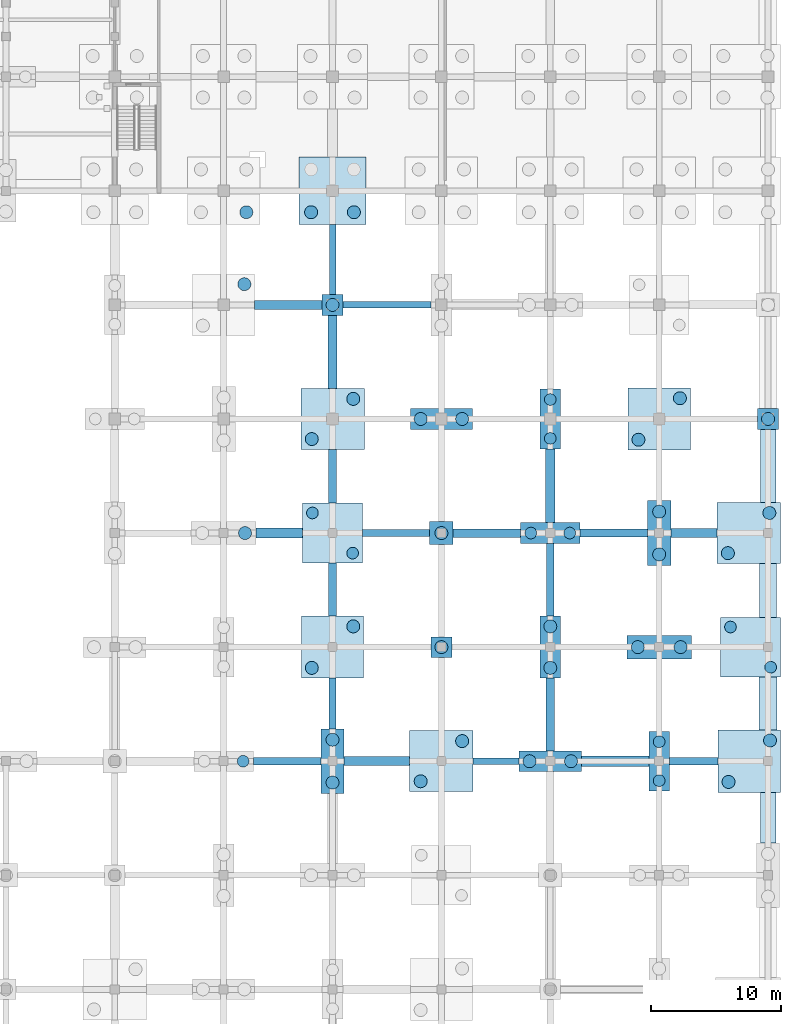
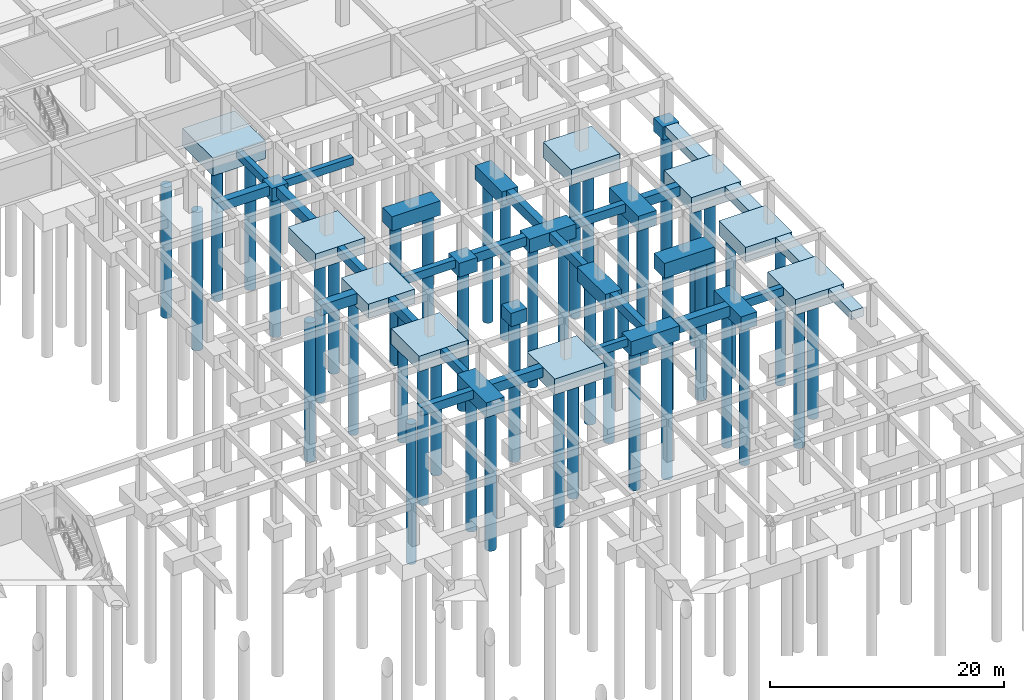
# One storey, part 10 of 41: 46 footings, 44 piles.
"""IFC4 building model written with IfcOpenShell, lengths in metres."""

from ifc_helpers import new_model, si_unit, direction, frame, origin, origin_2d, place, context, subcontext, project, spatial, rectangle, circle, extrude, material, material_profile, profile_set, type_object, element, save


model = new_model("IFC4")

# Units and contexts
model_context = context("Model", 3, precision=1e-05, world=origin(), true_north=direction((0.0, 1.0)))
body_context = subcontext(model_context, "Body", "Model", "MODEL_VIEW")
ifc_project = project(units=[si_unit("LENGTHUNIT", "METRE"), si_unit("AREAUNIT", "SQUARE_METRE"), si_unit("VOLUMEUNIT", "CUBIC_METRE"), si_unit("PLANEANGLEUNIT", "RADIAN"), si_unit("MASSUNIT", "GRAM", prefix="KILO")], contexts=[model_context])

# Site, building, storey
site_placement = place(None, origin())
site = spatial("IfcSite", under=ifc_project, at=site_placement, CompositionType="ELEMENT")
building_placement = place(site_placement, origin())
building = spatial("IfcBuilding", under=site, at=building_placement, Name="Kemercrest Conservatory and Botanical Centre", CompositionType="ELEMENT")
storey_placement = place(building_placement, frame((0.0, 0.0, -4.5)))
storey = spatial("IfcBuildingStorey", under=building, at=storey_placement, Name="B1", CompositionType="ELEMENT", Elevation=-4.5)

# Piles
ifc_material = material(Name="Concrete C40/50", Category="concrete")
ifc_material_profile_1 = material_profile(ifc_material, circle(Radius=0.5, at=origin_2d()), Name="BORED PILE 1000")
ifc_profile_set_1 = profile_set([ifc_material_profile_1], Name="Concrete C40/50")
pile_type_1 = type_object("IfcPileType", Name="BP-01", PredefinedType="BORED", material=ifc_profile_set_1)
pile_1_placement = place(storey_placement, frame((135.64990234375, 60.800048828125, -1.449951171875), z_axis=(0.0, 0.0, -1.0), x_axis=(1.0, 0.0, 0.0)))
element("IfcPile", 1, at=pile_1_placement, inside=storey, type_object=pile_type_1, Name="Bored pile BP-01 #355", PredefinedType="BORED", context=body_context, shape_type="SweptSolid", body=[
    extrude(circle(Radius=0.5, at=origin_2d()), origin(), (0.0, 0.0, 1.0), 14.550048828125),
])
pile_2_placement = place(storey_placement, frame((135.60009765625, 80.0, -1.5), z_axis=(0.0, 0.0, -1.0), x_axis=(1.0, 0.0, 0.0)))
element("IfcPile", 2, at=pile_2_placement, inside=storey, type_object=pile_type_1, Name="Bored pile BP-01 #359", PredefinedType="BORED", context=body_context, shape_type="SweptSolid", body=[
    extrude(circle(Radius=0.5, at=origin_2d()), origin(), (0.0, 0.0, 1.0), 14.5),
])
pile_3_placement = place(storey_placement, frame((135.75, 85.550048828125, -2.300048828125), z_axis=(0.0, 0.0, -1.0), x_axis=(1.0, 0.0, 0.0)))
element("IfcPile", 3, at=pile_3_placement, inside=storey, type_object=pile_type_1, Name="Bored pile BP-01 #362", PredefinedType="BORED", context=body_context, shape_type="SweptSolid", body=[
    extrude(circle(Radius=0.5, at=origin_2d()), origin(), (0.0, 0.0, 1.0), 13.699951171875),
])
for number, where, z_axis, x_axis, name in (
    (4, (142.39990234375, 41.550048828125, -1.449951171875), (0.0, 0.0, -1.0), (1.0, 0.0, 0.0), "Bored pile BP-01 #388"),
    (5, (142.39990234375, 44.85009765625, -1.449951171875), (0.0, 0.0, -1.0), (1.0, 0.0, 0.0), "Bored pile BP-01 #389"),
):
    element("IfcPile", number, at=place(storey_placement, frame(where, z_axis=z_axis, x_axis=x_axis)), inside=storey, type_object=pile_type_1, Name=name, PredefinedType="BORED", context=body_context, shape_type="SweptSolid", body=[
        extrude(circle(Radius=0.5, at=origin_2d()), origin(), (0.0, 0.0, 1.0), 14.550048828125),
    ])
for number, where, z_axis, x_axis, name in (
    (6, (140.800048828125, 50.39990234375, -1.5), (0.0, 0.0, -1.0), (1.0, 0.0, 0.0), "Bored pile BP-01 #390"),
    (7, (144.0, 53.60009765625, -1.5), (0.0, 0.0, -1.0), (1.0, 0.0, 0.0), "Bored pile BP-01 #391"),
):
    element("IfcPile", number, at=place(storey_placement, frame(where, z_axis=z_axis, x_axis=x_axis)), inside=storey, type_object=pile_type_1, Name=name, PredefinedType="BORED", context=body_context, shape_type="SweptSolid", body=[
        extrude(circle(Radius=0.5, at=origin_2d()), origin(), (0.0, 0.0, 1.0), 14.5),
    ])
for number, where, z_axis, x_axis, name in (
    (8, (140.800048828125, 68.050048828125, -1.550048828125), (0.0, 0.0, -1.0), (1.0, 0.0, 0.0), "Bored pile BP-01 #394"),
    (9, (144.0, 71.14990234375, -1.550048828125), (0.0, 0.0, -1.0), (1.0, 0.0, 0.0), "Bored pile BP-01 #395"),
):
    element("IfcPile", number, at=place(storey_placement, frame(where, z_axis=z_axis, x_axis=x_axis)), inside=storey, type_object=pile_type_1, Name=name, PredefinedType="BORED", context=body_context, shape_type="SweptSolid", body=[
        extrude(circle(Radius=0.5, at=origin_2d()), origin(), (0.0, 0.0, 1.0), 14.449951171875),
    ])
pile_4_placement = place(storey_placement, frame((142.39990234375, 78.39990234375, -1.300048828125), z_axis=(0.0, 0.0, -1.0), x_axis=(1.0, 0.0, 0.0)))
element("IfcPile", 10, at=pile_4_placement, inside=storey, type_object=pile_type_1, Name="Bored pile BP-01 #396", PredefinedType="BORED", context=body_context, shape_type="SweptSolid", body=[
    extrude(circle(Radius=0.5, at=origin_2d()), origin(), (0.0, 0.0, 1.0), 14.699951171875),
])
for number, where, z_axis, x_axis, name in (
    (11, (140.75, 85.550048828125, -2.199951171875), (0.0, 0.0, -1.0), (1.0, 0.0, 0.0), "Bored pile BP-01 #397"),
    (12, (144.050048828125, 85.550048828125, -2.199951171875), (0.0, 0.0, -1.0), (1.0, 0.0, 0.0), "Bored pile BP-01 #399"),
):
    element("IfcPile", number, at=place(storey_placement, frame(where, z_axis=z_axis, x_axis=x_axis)), inside=storey, type_object=pile_type_1, Name=name, PredefinedType="BORED", context=body_context, shape_type="SweptSolid", body=[
        extrude(circle(Radius=0.5, at=origin_2d()), origin(), (0.0, 0.0, 1.0), 13.800048828125),
    ])
for number, where, z_axis, x_axis, name in (
    (13, (149.199951171875, 41.64990234375, -1.550048828125), (0.0, 0.0, -1.0), (1.0, 0.0, 0.0), "Bored pile BP-01 #425"),
    (14, (152.39990234375, 44.75, -1.550048828125), (0.0, 0.0, -1.0), (1.0, 0.0, 0.0), "Bored pile BP-01 #426"),
):
    element("IfcPile", number, at=place(storey_placement, frame(where, z_axis=z_axis, x_axis=x_axis)), inside=storey, type_object=pile_type_1, Name=name, PredefinedType="BORED", context=body_context, shape_type="SweptSolid", body=[
        extrude(circle(Radius=0.5, at=origin_2d()), origin(), (0.0, 0.0, 1.0), 14.449951171875),
    ])
pile_5_placement = place(storey_placement, frame((150.800048828125, 52.0, -1.300048828125), z_axis=(0.0, 0.0, -1.0), x_axis=(1.0, 0.0, 0.0)))
element("IfcPile", 15, at=pile_5_placement, inside=storey, type_object=pile_type_1, Name="Bored pile BP-01 #427", PredefinedType="BORED", context=body_context, shape_type="SweptSolid", body=[
    extrude(circle(Radius=0.5, at=origin_2d()), origin(), (0.0, 0.0, 1.0), 14.699951171875),
])
pile_6_placement = place(storey_placement, frame((150.800048828125, 60.800048828125, -1.35009765625), z_axis=(0.0, 0.0, -1.0), x_axis=(1.0, 0.0, 0.0)))
element("IfcPile", 16, at=pile_6_placement, inside=storey, type_object=pile_type_1, Name="Bored pile BP-01 #428", PredefinedType="BORED", context=body_context, shape_type="SweptSolid", body=[
    extrude(circle(Radius=0.5, at=origin_2d()), origin(), (0.0, 0.0, 1.0), 14.64990234375),
])
for number, where, z_axis, x_axis, name in (
    (17, (149.199951171875, 69.60009765625, -1.39990234375), (0.0, 0.0, -1.0), (1.0, 0.0, 0.0), "Bored pile BP-01 #429"),
    (18, (152.39990234375, 69.60009765625, -1.39990234375), (0.0, 0.0, -1.0), (1.0, 0.0, 0.0), "Bored pile BP-01 #430"),
    (19, (157.60009765625, 43.199951171875, -1.39990234375), (0.0, 0.0, -1.0), (1.0, 0.0, 0.0), "Bored pile BP-01 #451"),
    (20, (160.800048828125, 43.199951171875, -1.39990234375), (0.0, 0.0, -1.0), (1.0, 0.0, 0.0), "Bored pile BP-01 #452"),
    (21, (159.199951171875, 50.39990234375, -1.39990234375), (0.0, 0.0, -1.0), (1.0, 0.0, 0.0), "Bored pile BP-01 #453"),
    (22, (159.199951171875, 53.60009765625, -1.39990234375), (0.0, 0.0, -1.0), (1.0, 0.0, 0.0), "Bored pile BP-01 #454"),
):
    element("IfcPile", number, at=place(storey_placement, frame(where, z_axis=z_axis, x_axis=x_axis)), inside=storey, type_object=pile_type_1, Name=name, PredefinedType="BORED", context=body_context, shape_type="SweptSolid", body=[
        extrude(circle(Radius=0.5, at=origin_2d()), origin(), (0.0, 0.0, 1.0), 14.60009765625),
    ])
for number, where, z_axis, x_axis, name in (
    (23, (165.949951171875, 52.0, -1.449951171875), (0.0, 0.0, -1.0), (1.0, 0.0, 0.0), "Bored pile BP-01 #482"),
    (24, (169.25, 52.0, -1.449951171875), (0.0, 0.0, -1.0), (1.0, 0.0, 0.0), "Bored pile BP-01 #483"),
    (25, (167.60009765625, 59.14990234375, -1.449951171875), (0.0, 0.0, -1.0), (1.0, 0.0, 0.0), "Bored pile BP-01 #484"),
    (26, (167.60009765625, 62.449951171875, -1.449951171875), (0.0, 0.0, -1.0), (1.0, 0.0, 0.0), "Bored pile BP-01 #485"),
):
    element("IfcPile", number, at=place(storey_placement, frame(where, z_axis=z_axis, x_axis=x_axis)), inside=storey, type_object=pile_type_1, Name=name, PredefinedType="BORED", context=body_context, shape_type="SweptSolid", body=[
        extrude(circle(Radius=0.5, at=origin_2d()), origin(), (0.0, 0.0, 1.0), 14.550048828125),
    ])
for number, where, z_axis, x_axis, name in (
    (27, (166.0, 68.0, -1.5), (0.0, 0.0, -1.0), (1.0, 0.0, 0.0), "Bored pile BP-01 #486"),
    (28, (169.199951171875, 71.199951171875, -1.5), (0.0, 0.0, -1.0), (1.0, 0.0, 0.0), "Bored pile BP-01 #487"),
    (29, (172.949951171875, 41.60009765625, -1.5), (0.0, 0.0, -1.0), (1.0, 0.0, 0.0), "Bored pile BP-01 #510"),
    (30, (176.14990234375, 44.800048828125, -1.5), (0.0, 0.0, -1.0), (1.0, 0.0, 0.0), "Bored pile BP-01 #511"),
):
    element("IfcPile", number, at=place(storey_placement, frame(where, z_axis=z_axis, x_axis=x_axis)), inside=storey, type_object=pile_type_1, Name=name, PredefinedType="BORED", context=body_context, shape_type="SweptSolid", body=[
        extrude(circle(Radius=0.5, at=origin_2d()), origin(), (0.0, 0.0, 1.0), 14.5),
    ])
for number, where, z_axis, x_axis, name in (
    (31, (172.89990234375, 59.25, -1.550048828125), (0.0, 0.0, -1.0), (1.0, 0.0, 0.0), "Bored pile BP-01 #514"),
    (32, (176.10009765625, 62.35009765625, -1.550048828125), (0.0, 0.0, -1.0), (1.0, 0.0, 0.0), "Bored pile BP-01 #515"),
):
    element("IfcPile", number, at=place(storey_placement, frame(where, z_axis=z_axis, x_axis=x_axis)), inside=storey, type_object=pile_type_1, Name=name, PredefinedType="BORED", context=body_context, shape_type="SweptSolid", body=[
        extrude(circle(Radius=0.5, at=origin_2d()), origin(), (0.0, 0.0, 1.0), 14.449951171875),
    ])
pile_7_placement = place(storey_placement, frame((176.0, 69.60009765625, -1.300048828125), z_axis=(0.0, 0.0, -1.0), x_axis=(1.0, 0.0, 0.0)))
element("IfcPile", 33, at=pile_7_placement, inside=storey, type_object=pile_type_1, Name="Bored pile BP-01 #516", PredefinedType="BORED", context=body_context, shape_type="SweptSolid", body=[
    extrude(circle(Radius=0.5, at=origin_2d()), origin(), (0.0, 0.0, 1.0), 14.699951171875),
])
ifc_material_profile_2 = material_profile(ifc_material, circle(Radius=0.449951171875, at=origin_2d()), Name="BORED PILE 900")
ifc_profile_set_2 = profile_set([ifc_material_profile_2], Name="Concrete C40/50")
pile_type_2 = type_object("IfcPileType", Name="BP-02", PredefinedType="BORED", material=ifc_profile_set_2)
pile_8_placement = place(storey_placement, frame((135.5, 43.199951171875, -1.35009765625), z_axis=(0.0, 0.0, -1.0), x_axis=(1.0, 0.0, 0.0)))
element("IfcPile", 34, at=pile_8_placement, inside=storey, type_object=pile_type_2, Name="Bored pile BP-02 #351", PredefinedType="BORED", context=body_context, shape_type="SweptSolid", body=[
    extrude(circle(Radius=0.449951171875, at=origin_2d()), origin(), (0.0, 0.0, 1.0), 14.64990234375),
])
for number, where, z_axis, x_axis, name in (
    (35, (140.85009765625, 62.35009765625, -1.39990234375), (0.0, 0.0, -1.0), (1.0, 0.0, 0.0), "Bored pile BP-02 #392"),
    (36, (143.949951171875, 59.25, -1.39990234375), (0.0, 0.0, -1.0), (1.0, 0.0, 0.0), "Bored pile BP-02 #393"),
):
    element("IfcPile", number, at=place(storey_placement, frame(where, z_axis=z_axis, x_axis=x_axis)), inside=storey, type_object=pile_type_2, Name=name, PredefinedType="BORED", context=body_context, shape_type="SweptSolid", body=[
        extrude(circle(Radius=0.449951171875, at=origin_2d()), origin(), (0.0, 0.0, 1.0), 14.60009765625),
    ])
for number, where, z_axis, x_axis, name in (
    (37, (157.699951171875, 60.800048828125, -1.35009765625), (0.0, 0.0, -1.0), (1.0, 0.0, 0.0), "Bored pile BP-02 #455"),
    (38, (160.699951171875, 60.800048828125, -1.35009765625), (0.0, 0.0, -1.0), (1.0, 0.0, 0.0), "Bored pile BP-02 #456"),
    (39, (159.199951171875, 68.10009765625, -1.35009765625), (0.0, 0.0, -1.0), (1.0, 0.0, 0.0), "Bored pile BP-02 #457"),
    (40, (159.199951171875, 71.10009765625, -1.35009765625), (0.0, 0.0, -1.0), (1.0, 0.0, 0.0), "Bored pile BP-02 #458"),
    (41, (167.60009765625, 41.699951171875, -1.35009765625), (0.0, 0.0, -1.0), (1.0, 0.0, 0.0), "Bored pile BP-02 #480"),
    (42, (167.60009765625, 44.699951171875, -1.35009765625), (0.0, 0.0, -1.0), (1.0, 0.0, 0.0), "Bored pile BP-02 #481"),
):
    element("IfcPile", number, at=place(storey_placement, frame(where, z_axis=z_axis, x_axis=x_axis)), inside=storey, type_object=pile_type_2, Name=name, PredefinedType="BORED", context=body_context, shape_type="SweptSolid", body=[
        extrude(circle(Radius=0.449951171875, at=origin_2d()), origin(), (0.0, 0.0, 1.0), 14.64990234375),
    ])
for number, where, z_axis, x_axis, name in (
    (43, (173.10009765625, 53.550048828125, -1.39990234375), (0.0, 0.0, -1.0), (1.0, 0.0, 0.0), "Bored pile BP-02 #512"),
    (44, (176.199951171875, 50.449951171875, -1.39990234375), (0.0, 0.0, -1.0), (1.0, 0.0, 0.0), "Bored pile BP-02 #513"),
):
    element("IfcPile", number, at=place(storey_placement, frame(where, z_axis=z_axis, x_axis=x_axis)), inside=storey, type_object=pile_type_2, Name=name, PredefinedType="BORED", context=body_context, shape_type="SweptSolid", body=[
        extrude(circle(Radius=0.449951171875, at=origin_2d()), origin(), (0.0, 0.0, 1.0), 14.60009765625),
    ])

# Footings
footing_type_1 = type_object("IfcFootingType", Name="FB-01", PredefinedType="FOOTING_BEAM", material=ifc_material)
for number, where, z_axis, x_axis, name in (
    (45, (138.89990234375, 43.199951171875, -0.89990234375), (0.0, 0.0, 1.0), (1.0, 0.0, 0.0), "Seismic tie footing beam FB-01"),
    (46, (164.10009765625, 60.800048828125, -0.89990234375), (0.0, 0.0, 1.0), (1.0, 0.0, 0.0), "Seismic tie footing beam FB-01"),
):
    element("IfcFooting", number, at=place(storey_placement, frame(where, z_axis=z_axis, x_axis=x_axis)), inside=storey, type_object=footing_type_1, Name=name, PredefinedType="FOOTING_BEAM", context=body_context, shape_type="SweptSolid", body=[
        extrude(rectangle(XDim=5.199951171875, YDim=0.60009765625, at=origin_2d()), origin(), (0.0, 0.0, 1.0), 0.89990234375),
    ])
footing_1_placement = place(storey_placement, frame((142.39990234375, 65.175048828125, -0.89990234375), z_axis=(0.0, 0.0, 1.0), x_axis=(1.0, 0.0, 0.0)))
element("IfcFooting", 47, at=footing_1_placement, inside=storey, type_object=footing_type_1, Name="Seismic tie footing beam FB-01", PredefinedType="FOOTING_BEAM", context=body_context, shape_type="SweptSolid", body=[
    extrude(rectangle(XDim=0.60009765625, YDim=4.14990234375, at=origin_2d()), origin(), (0.0, 0.0, 1.0), 0.89990234375),
])
footing_2_placement = place(storey_placement, frame((159.199951171875, 57.199951171875, -0.89990234375), z_axis=(0.0, 0.0, 1.0), x_axis=(1.0, 0.0, 0.0)))
element("IfcFooting", 48, at=footing_2_placement, inside=storey, type_object=footing_type_1, Name="Seismic tie footing beam FB-01", PredefinedType="FOOTING_BEAM", context=body_context, shape_type="SweptSolid", body=[
    extrude(rectangle(XDim=0.60009765625, YDim=5.60009765625, at=origin_2d()), origin(), (0.0, 0.0, 1.0), 0.89990234375),
])
footing_type_2 = type_object("IfcFootingType", Name="FB-02", PredefinedType="FOOTING_BEAM", material=ifc_material)
footing_3_placement = place(storey_placement, frame((145.824951171875, 43.199951171875, -1.0), z_axis=(0.0, 0.0, 1.0), x_axis=(1.0, 0.0, 0.0)))
element("IfcFooting", 49, at=footing_3_placement, inside=storey, type_object=footing_type_2, Name="Seismic tie footing beam FB-02", PredefinedType="FOOTING_BEAM", context=body_context, shape_type="SweptSolid", body=[
    extrude(rectangle(XDim=5.050048828125, YDim=0.699951171875, at=origin_2d()), origin(), (0.0, 0.0, 1.0), 1.0),
])
footing_4_placement = place(storey_placement, frame((170.27490234375, 60.800048828125, -1.0), z_axis=(0.0, 0.0, 1.0), x_axis=(1.0, 0.0, 0.0)))
element("IfcFooting", 50, at=footing_4_placement, inside=storey, type_object=footing_type_2, Name="Seismic tie footing beam FB-02", PredefinedType="FOOTING_BEAM", context=body_context, shape_type="SweptSolid", body=[
    extrude(rectangle(XDim=3.550048828125, YDim=0.699951171875, at=origin_2d()), origin(), (0.0, 0.0, 1.0), 1.0),
])
footing_5_placement = place(storey_placement, frame((139.0, 78.39990234375, -1.0), z_axis=(0.0, 0.0, 1.0), x_axis=(1.0, 0.0, 0.0)))
element("IfcFooting", 51, at=footing_5_placement, inside=storey, type_object=footing_type_2, Name="Seismic tie footing beam FB-02", PredefinedType="FOOTING_BEAM", context=body_context, shape_type="SweptSolid", body=[
    extrude(rectangle(XDim=5.199951171875, YDim=0.699951171875, at=origin_2d()), origin(), (0.0, 0.0, 1.0), 1.0),
])
footing_6_placement = place(storey_placement, frame((142.39990234375, 74.77490234375, -1.0), z_axis=(0.0, 0.0, 1.0), x_axis=(1.0, 0.0, 0.0)))
element("IfcFooting", 52, at=footing_6_placement, inside=storey, type_object=footing_type_2, Name="Seismic tie footing beam FB-02", PredefinedType="FOOTING_BEAM", context=body_context, shape_type="SweptSolid", body=[
    extrude(rectangle(XDim=0.699951171875, YDim=5.64990234375, at=origin_2d()), origin(), (0.0, 0.0, 1.0), 1.0),
])
footing_7_placement = place(storey_placement, frame((159.199951171875, 64.449951171875, -1.0), z_axis=(0.0, 0.0, 1.0), x_axis=(1.0, 0.0, 0.0)))
element("IfcFooting", 53, at=footing_7_placement, inside=storey, type_object=footing_type_2, Name="Seismic tie footing beam FB-02", PredefinedType="FOOTING_BEAM", context=body_context, shape_type="SweptSolid", body=[
    extrude(rectangle(XDim=0.699951171875, YDim=5.699951171875, at=origin_2d()), origin(), (0.0, 0.0, 1.0), 1.0),
])
footing_type_3 = type_object("IfcFootingType", Name="FB-03", PredefinedType="FOOTING_BEAM", material=ifc_material)
footing_8_placement = place(storey_placement, frame((155.02490234375, 43.199951171875, -0.7998046875), z_axis=(0.0, 0.0, 1.0), x_axis=(1.0, 0.0, 0.0)))
element("IfcFooting", 54, at=footing_8_placement, inside=storey, type_object=footing_type_3, Name="Seismic tie footing beam FB-03", PredefinedType="FOOTING_BEAM", context=body_context, shape_type="SweptSolid", body=[
    extrude(rectangle(XDim=3.550048828125, YDim=0.5, at=origin_2d()), origin(), (0.0, 0.0, 1.0), 0.800048828125),
])
footing_9_placement = place(storey_placement, frame((146.60009765625, 78.39990234375, -0.7998046875), z_axis=(0.0, 0.0, 1.0), x_axis=(1.0, 0.0, 0.0)))
element("IfcFooting", 55, at=footing_9_placement, inside=storey, type_object=footing_type_3, Name="Seismic tie footing beam FB-03", PredefinedType="FOOTING_BEAM", context=body_context, shape_type="SweptSolid", body=[
    extrude(rectangle(XDim=6.800048828125, YDim=0.5, at=origin_2d()), origin(), (0.0, 0.0, 1.0), 0.800048828125),
])
footing_10_placement = place(storey_placement, frame((142.39990234375, 81.89990234375, -1.25), z_axis=(0.0, 0.0, 1.0), x_axis=(1.0, 0.0, 0.0)))
element("IfcFooting", 56, at=footing_10_placement, inside=storey, type_object=footing_type_3, Name="Seismic tie footing beam FB-03", PredefinedType="FOOTING_BEAM", context=body_context, shape_type="SweptSolid", body=[
    extrude(rectangle(XDim=0.5, YDim=5.39990234375, at=origin_2d()), origin(), (0.0, 0.0, 1.0), 0.800048828125),
])
footing_type_4 = type_object("IfcFootingType", Name="FB-04", PredefinedType="FOOTING_BEAM", material=ifc_material)
footing_11_placement = place(storey_placement, frame((164.199951171875, 43.199951171875, -1.10009765625), z_axis=(0.0, 0.0, 1.0), x_axis=(1.0, 0.0, 0.0)))
element("IfcFooting", 57, at=footing_11_placement, inside=storey, type_object=footing_type_4, Name="Seismic tie footing beam FB-04", PredefinedType="FOOTING_BEAM", context=body_context, shape_type="SweptSolid", body=[
    extrude(rectangle(XDim=5.199951171875, YDim=0.800048828125, at=origin_2d()), origin(), (0.0, 0.0, 1.0), 1.10009765625),
])
footing_12_placement = place(storey_placement, frame((138.300048828125, 60.800048828125, -1.10009765625), z_axis=(0.0, 0.0, 1.0), x_axis=(1.0, 0.0, 0.0)))
element("IfcFooting", 58, at=footing_12_placement, inside=storey, type_object=footing_type_4, Name="Seismic tie footing beam FB-04", PredefinedType="FOOTING_BEAM", context=body_context, shape_type="SweptSolid", body=[
    extrude(rectangle(XDim=3.60009765625, YDim=0.800048828125, at=origin_2d()), origin(), (0.0, 0.0, 1.0), 1.10009765625),
])
footing_type_5 = type_object("IfcFootingType", Name="FB-05", PredefinedType="FOOTING_BEAM", material=ifc_material)
footing_13_placement = place(storey_placement, frame((170.27490234375, 43.199951171875, -0.85009765625), z_axis=(0.0, 0.0, 1.0), x_axis=(1.0, 0.0, 0.0)))
element("IfcFooting", 59, at=footing_13_placement, inside=storey, type_object=footing_type_5, Name="Seismic tie footing beam FB-05", PredefinedType="FOOTING_BEAM", context=body_context, shape_type="SweptSolid", body=[
    extrude(rectangle(XDim=3.75, YDim=0.550048828125, at=origin_2d()), origin(), (0.0, 0.0, 1.0), 0.85009765625),
])
footing_14_placement = place(storey_placement, frame((147.300048828125, 60.800048828125, -0.85009765625), z_axis=(0.0, 0.0, 1.0), x_axis=(1.0, 0.0, 0.0)))
element("IfcFooting", 60, at=footing_14_placement, inside=storey, type_object=footing_type_5, Name="Seismic tie footing beam FB-05", PredefinedType="FOOTING_BEAM", context=body_context, shape_type="SweptSolid", body=[
    extrude(rectangle(XDim=5.199951171875, YDim=0.550048828125, at=origin_2d()), origin(), (0.0, 0.0, 1.0), 0.85009765625),
])
footing_15_placement = place(storey_placement, frame((142.39990234375, 47.64990234375, -0.85009765625), z_axis=(0.0, 0.0, 1.0), x_axis=(1.0, 0.0, 0.0)))
element("IfcFooting", 61, at=footing_15_placement, inside=storey, type_object=footing_type_5, Name="Seismic tie footing beam FB-05", PredefinedType="FOOTING_BEAM", context=body_context, shape_type="SweptSolid", body=[
    extrude(rectangle(XDim=0.550048828125, YDim=3.89990234375, at=origin_2d()), origin(), (0.0, 0.0, 1.0), 0.85009765625),
])
footing_type_6 = type_object("IfcFootingType", Name="FB-06", PredefinedType="FOOTING_BEAM", material=ifc_material)
footing_16_placement = place(storey_placement, frame((154.300048828125, 60.800048828125, -0.9501953125), z_axis=(0.0, 0.0, 1.0), x_axis=(1.0, 0.0, 0.0)))
element("IfcFooting", 62, at=footing_16_placement, inside=storey, type_object=footing_type_6, Name="Seismic tie footing beam FB-06", PredefinedType="FOOTING_BEAM", context=body_context, shape_type="SweptSolid", body=[
    extrude(rectangle(XDim=5.199951171875, YDim=0.64990234375, at=origin_2d()), origin(), (0.0, 0.0, 1.0), 0.949951171875),
])
footing_17_placement = place(storey_placement, frame((142.39990234375, 56.449951171875, -0.9501953125), z_axis=(0.0, 0.0, 1.0), x_axis=(1.0, 0.0, 0.0)))
element("IfcFooting", 63, at=footing_17_placement, inside=storey, type_object=footing_type_6, Name="Seismic tie footing beam FB-06", PredefinedType="FOOTING_BEAM", context=body_context, shape_type="SweptSolid", body=[
    extrude(rectangle(XDim=0.64990234375, YDim=4.10009765625, at=origin_2d()), origin(), (0.0, 0.0, 1.0), 0.949951171875),
])
footing_18_placement = place(storey_placement, frame((159.199951171875, 46.800048828125, -0.9501953125), z_axis=(0.0, 0.0, 1.0), x_axis=(1.0, 0.0, 0.0)))
element("IfcFooting", 64, at=footing_18_placement, inside=storey, type_object=footing_type_6, Name="Seismic tie footing beam FB-06", PredefinedType="FOOTING_BEAM", context=body_context, shape_type="SweptSolid", body=[
    extrude(rectangle(XDim=0.64990234375, YDim=5.60009765625, at=origin_2d()), origin(), (0.0, 0.0, 1.0), 0.949951171875),
])
footing_type_7 = type_object("IfcFootingType", Name="PC-01", PredefinedType="PILE_CAP", material=ifc_material)
for number, where, z_axis, x_axis, name in (
    (65, (142.39990234375, 78.39990234375, -1.39990234375), (0.0, 0.0, 1.0), (1.0, 0.0, 0.0), "Pile cap PC-01 at (142.4, 78.4)"),
    (66, (150.800048828125, 52.0, -1.39990234375), (0.0, 0.0, 1.0), (1.0, 0.0, 0.0), "Pile cap PC-01 at (150.8, 52.0)"),
    (67, (176.0, 69.60009765625, -1.39990234375), (0.0, 0.0, 1.0), (1.0, 0.0, 0.0), "Pile cap PC-01 at (176.0, 69.6)"),
):
    element("IfcFooting", number, at=place(storey_placement, frame(where, z_axis=z_axis, x_axis=x_axis)), inside=storey, type_object=footing_type_7, Name=name, PredefinedType="PILE_CAP", context=body_context, shape_type="SweptSolid", body=[
        extrude(rectangle(XDim=1.60009765625, YDim=1.60009765625, at=origin_2d()), origin(), (0.0, 0.0, 1.0), 1.39990234375),
    ])
footing_type_8 = type_object("IfcFootingType", Name="PC-02", PredefinedType="PILE_CAP", material=ifc_material)
for number, where, z_axis, x_axis, name in (
    (68, (150.800048828125, 69.60009765625, -1.5), (0.0, 0.0, 1.0), (1.0, 0.0, 0.0), "Pile cap PC-02 at (150.8, 69.6)"),
    (69, (159.199951171875, 43.199951171875, -1.5), (0.0, 0.0, 1.0), (1.0, 0.0, 0.0), "Pile cap PC-02 at (159.2, 43.2)"),
):
    element("IfcFooting", number, at=place(storey_placement, frame(where, z_axis=z_axis, x_axis=x_axis)), inside=storey, type_object=footing_type_8, Name=name, PredefinedType="PILE_CAP", context=body_context, shape_type="SweptSolid", body=[
        extrude(rectangle(XDim=4.800048828125, YDim=1.60009765625, at=origin_2d()), origin(), (0.0, 0.0, 1.0), 1.5),
    ])
footing_type_9 = type_object("IfcFootingType", Name="PC-03", PredefinedType="PILE_CAP", material=ifc_material)
footing_19_placement = place(storey_placement, frame((159.199951171875, 52.0, -1.5), z_axis=(0.0, 0.0, 1.0), x_axis=(1.0, 0.0, 0.0)))
element("IfcFooting", 70, at=footing_19_placement, inside=storey, type_object=footing_type_9, Name="Pile cap PC-03 at (159.2, 52.0)", PredefinedType="PILE_CAP", context=body_context, shape_type="SweptSolid", body=[
    extrude(rectangle(XDim=1.60009765625, YDim=4.800048828125, at=origin_2d()), origin(), (0.0, 0.0, 1.0), 1.5),
])
footing_type_10 = type_object("IfcFootingType", Name="PC-04", PredefinedType="PILE_CAP", material=ifc_material)
for number, where, z_axis, x_axis, name in (
    (71, (142.39990234375, 52.0, -1.60009765625), (0.0, 0.0, 1.0), (1.0, 0.0, 0.0), "Pile cap PC-04 at (142.4, 52.0)"),
    (72, (167.60009765625, 69.60009765625, -1.60009765625), (0.0, 0.0, 1.0), (1.0, 0.0, 0.0), "Pile cap PC-04 at (167.6, 69.6)"),
    (73, (174.550048828125, 43.199951171875, -1.60009765625), (0.0, 0.0, 1.0), (1.0, 0.0, 0.0), "Pile cap PC-04 at (174.6, 43.2)"),
):
    element("IfcFooting", number, at=place(storey_placement, frame(where, z_axis=z_axis, x_axis=x_axis)), inside=storey, type_object=footing_type_10, Name=name, PredefinedType="PILE_CAP", context=body_context, shape_type="SweptSolid", body=[
        extrude(rectangle(XDim=4.800048828125, YDim=4.800048828125, at=origin_2d()), origin(), (0.0, 0.0, 1.0), 1.60009765625),
    ])
footing_type_11 = type_object("IfcFootingType", Name="PC-05", PredefinedType="PILE_CAP", material=ifc_material)
for number, where, z_axis, x_axis, name in (
    (74, (142.39990234375, 60.800048828125, -1.5), (0.0, 0.0, 1.0), (1.0, 0.0, 0.0), "Pile cap PC-05 at (142.4, 60.8)"),
    (75, (174.64990234375, 52.0, -1.5), (0.0, 0.0, 1.0), (1.0, 0.0, 0.0), "Pile cap PC-05 at (174.7, 52.0)"),
):
    element("IfcFooting", number, at=place(storey_placement, frame(where, z_axis=z_axis, x_axis=x_axis)), inside=storey, type_object=footing_type_11, Name=name, PredefinedType="PILE_CAP", context=body_context, shape_type="SweptSolid", body=[
        extrude(rectangle(XDim=4.60009765625, YDim=4.60009765625, at=origin_2d()), origin(), (0.0, 0.0, 1.0), 1.5),
    ])
footing_type_12 = type_object("IfcFootingType", Name="PC-07", PredefinedType="PILE_CAP", material=ifc_material)
footing_20_placement = place(storey_placement, frame((142.39990234375, 87.199951171875, -2.300048828125), z_axis=(0.0, 0.0, 1.0), x_axis=(1.0, 0.0, 0.0)))
element("IfcFooting", 76, at=footing_20_placement, inside=storey, type_object=footing_type_12, Name="Pile cap PC-07 at (142.4, 87.2)", PredefinedType="PILE_CAP", context=body_context, shape_type="SweptSolid", body=[
    extrude(rectangle(XDim=5.199951171875, YDim=5.199951171875, at=origin_2d()), origin(), (0.0, 0.0, 1.0), 1.85009765625),
])
footing_type_13 = type_object("IfcFootingType", Name="PC-08", PredefinedType="PILE_CAP", material=ifc_material)
footing_21_placement = place(storey_placement, frame((159.199951171875, 60.800048828125, -1.4501953125), z_axis=(0.0, 0.0, 1.0), x_axis=(1.0, 0.0, 0.0)))
element("IfcFooting", 77, at=footing_21_placement, inside=storey, type_object=footing_type_13, Name="Pile cap PC-08 at (159.2, 60.8)", PredefinedType="PILE_CAP", context=body_context, shape_type="SweptSolid", body=[
    extrude(rectangle(XDim=4.60009765625, YDim=1.60009765625, at=origin_2d()), origin(), (0.0, 0.0, 1.0), 1.449951171875),
])
footing_type_14 = type_object("IfcFootingType", Name="PC-09", PredefinedType="PILE_CAP", material=ifc_material)
for number, where, z_axis, x_axis, name in (
    (78, (159.199951171875, 69.60009765625, -1.4501953125), (0.0, 0.0, 1.0), (1.0, 0.0, 0.0), "Pile cap PC-09 at (159.2, 69.6)"),
    (79, (167.60009765625, 43.199951171875, -1.4501953125), (0.0, 0.0, 1.0), (1.0, 0.0, 0.0), "Pile cap PC-09 at (167.6, 43.2)"),
):
    element("IfcFooting", number, at=place(storey_placement, frame(where, z_axis=z_axis, x_axis=x_axis)), inside=storey, type_object=footing_type_14, Name=name, PredefinedType="PILE_CAP", context=body_context, shape_type="SweptSolid", body=[
        extrude(rectangle(XDim=1.60009765625, YDim=4.60009765625, at=origin_2d()), origin(), (0.0, 0.0, 1.0), 1.449951171875),
    ])
footing_type_15 = type_object("IfcFootingType", Name="PC-12", PredefinedType="PILE_CAP", material=ifc_material)
footing_22_placement = place(storey_placement, frame((150.800048828125, 60.800048828125, -1.4501953125), z_axis=(0.0, 0.0, 1.0), x_axis=(1.0, 0.0, 0.0)))
element("IfcFooting", 80, at=footing_22_placement, inside=storey, type_object=footing_type_15, Name="Pile cap PC-12 at (150.8, 60.8)", PredefinedType="PILE_CAP", context=body_context, shape_type="SweptSolid", body=[
    extrude(rectangle(XDim=1.800048828125, YDim=1.800048828125, at=origin_2d()), origin(), (0.0, 0.0, 1.0), 1.449951171875),
])
footing_type_16 = type_object("IfcFootingType", Name="PC-13", PredefinedType="PILE_CAP", material=ifc_material)
footing_23_placement = place(storey_placement, frame((167.60009765625, 52.0, -1.5498046875), z_axis=(0.0, 0.0, 1.0), x_axis=(1.0, 0.0, 0.0)))
element("IfcFooting", 81, at=footing_23_placement, inside=storey, type_object=footing_type_16, Name="Pile cap PC-13 at (167.6, 52.0)", PredefinedType="PILE_CAP", context=body_context, shape_type="SweptSolid", body=[
    extrude(rectangle(XDim=5.0, YDim=1.800048828125, at=origin_2d()), origin(), (0.0, 0.0, 1.0), 1.550048828125),
])
footing_type_17 = type_object("IfcFootingType", Name="PC-14", PredefinedType="PILE_CAP", material=ifc_material)
for number, where, z_axis, x_axis, name in (
    (82, (142.39990234375, 43.199951171875, -1.5498046875), (0.0, 0.0, 1.0), (1.0, 0.0, 0.0), "Pile cap PC-14 at (142.4, 43.2)"),
    (83, (167.60009765625, 60.800048828125, -1.5498046875), (0.0, 0.0, 1.0), (1.0, 0.0, 0.0), "Pile cap PC-14 at (167.6, 60.8)"),
):
    element("IfcFooting", number, at=place(storey_placement, frame(where, z_axis=z_axis, x_axis=x_axis)), inside=storey, type_object=footing_type_17, Name=name, PredefinedType="PILE_CAP", context=body_context, shape_type="SweptSolid", body=[
        extrude(rectangle(XDim=1.800048828125, YDim=5.0, at=origin_2d()), origin(), (0.0, 0.0, 1.0), 1.550048828125),
    ])
footing_type_18 = type_object("IfcFootingType", Name="PC-16", PredefinedType="PILE_CAP", material=ifc_material)
for number, where, z_axis, x_axis, name in (
    (84, (142.39990234375, 69.60009765625, -1.64990234375), (0.0, 0.0, 1.0), (1.0, 0.0, 0.0), "Pile cap PC-16 at (142.4, 69.6)"),
    (85, (150.800048828125, 43.199951171875, -1.64990234375), (0.0, 0.0, 1.0), (1.0, 0.0, 0.0), "Pile cap PC-16 at (150.8, 43.2)"),
    (86, (174.5, 60.800048828125, -1.64990234375), (0.0, 0.0, 1.0), (1.0, 0.0, 0.0), "Pile cap PC-16 at (174.5, 60.8)"),
):
    element("IfcFooting", number, at=place(storey_placement, frame(where, z_axis=z_axis, x_axis=x_axis)), inside=storey, type_object=footing_type_18, Name=name, PredefinedType="PILE_CAP", context=body_context, shape_type="SweptSolid", body=[
        extrude(rectangle(XDim=4.89990234375, YDim=4.699951171875, at=origin_2d()), origin(), (0.0, 0.0, 1.0), 1.64990234375),
    ])
footing_type_19 = type_object("IfcFootingType", Name="SF-01", PredefinedType="STRIP_FOOTING", material=ifc_material)
footing_24_placement = place(storey_placement, frame((176.0, 38.85009765625, -0.89990234375), z_axis=(0.0, 0.0, 1.0), x_axis=(1.0, 0.0, 0.0)))
element("IfcFooting", 87, at=footing_24_placement, inside=storey, type_object=footing_type_19, Name="Perimeter strip footing SF-01", PredefinedType="STRIP_FOOTING", context=body_context, shape_type="SweptSolid", body=[
    extrude(rectangle(XDim=1.199951171875, YDim=3.89990234375, at=origin_2d()), origin(), (0.0, 0.0, 1.0), 0.89990234375),
])
footing_25_placement = place(storey_placement, frame((176.0, 65.97509765625, -0.89990234375), z_axis=(0.0, 0.0, 1.0), x_axis=(1.0, 0.0, 0.0)))
element("IfcFooting", 88, at=footing_25_placement, inside=storey, type_object=footing_type_19, Name="Perimeter strip footing SF-01", PredefinedType="STRIP_FOOTING", context=body_context, shape_type="SweptSolid", body=[
    extrude(rectangle(XDim=1.199951171875, YDim=5.64990234375, at=origin_2d()), origin(), (0.0, 0.0, 1.0), 0.89990234375),
])
footing_type_20 = type_object("IfcFootingType", Name="SF-02", PredefinedType="STRIP_FOOTING", material=ifc_material)
footing_26_placement = place(storey_placement, frame((176.0, 47.64990234375, -1.0), z_axis=(0.0, 0.0, 1.0), x_axis=(1.0, 0.0, 0.0)))
element("IfcFooting", 89, at=footing_26_placement, inside=storey, type_object=footing_type_20, Name="Perimeter strip footing SF-02", PredefinedType="STRIP_FOOTING", context=body_context, shape_type="SweptSolid", body=[
    extrude(rectangle(XDim=1.39990234375, YDim=4.10009765625, at=origin_2d()), origin(), (0.0, 0.0, 1.0), 1.0),
])
footing_type_21 = type_object("IfcFootingType", Name="SF-03", PredefinedType="STRIP_FOOTING", material=ifc_material)
footing_27_placement = place(storey_placement, frame((176.0, 56.375, -0.9501953125), z_axis=(0.0, 0.0, 1.0), x_axis=(1.0, 0.0, 0.0)))
element("IfcFooting", 90, at=footing_27_placement, inside=storey, type_object=footing_type_21, Name="Perimeter strip footing SF-03", PredefinedType="STRIP_FOOTING", context=body_context, shape_type="SweptSolid", body=[
    extrude(rectangle(XDim=1.300048828125, YDim=4.14990234375, at=origin_2d()), origin(), (0.0, 0.0, 1.0), 0.949951171875),
])

save(model, "model.ifc")
